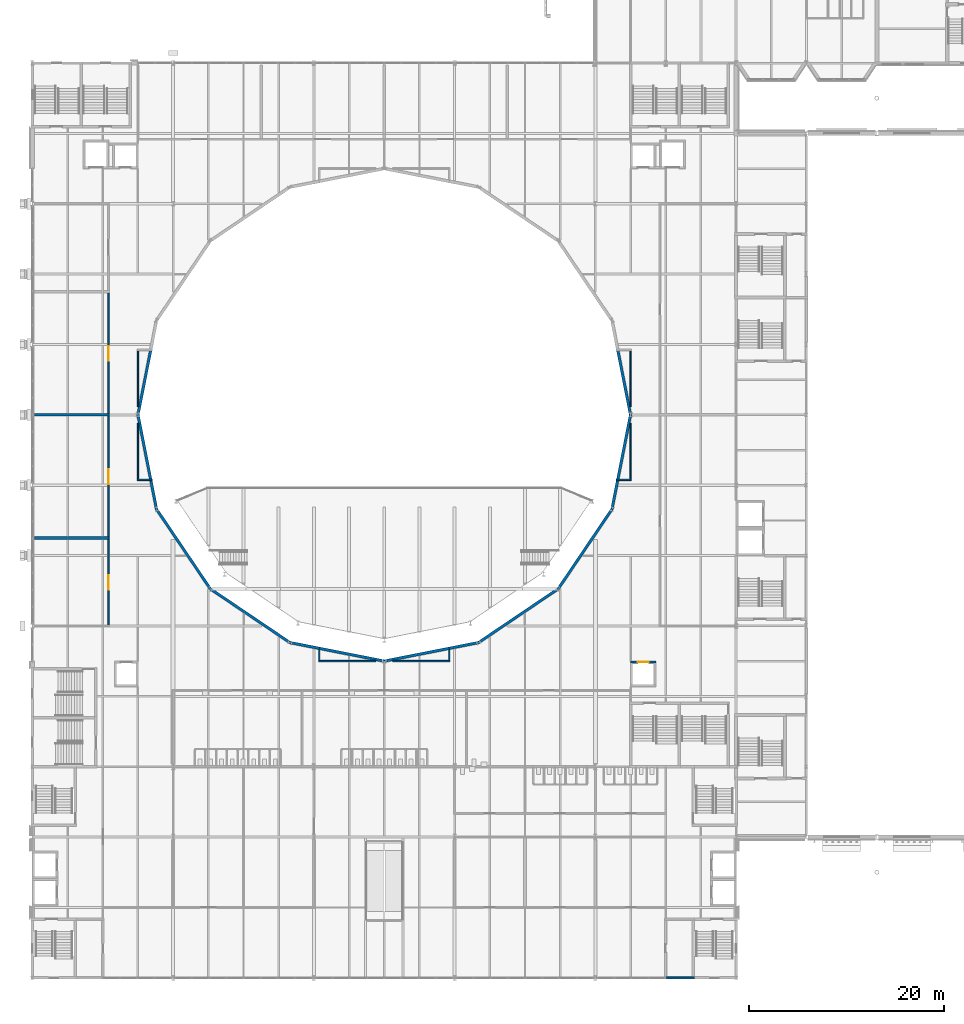
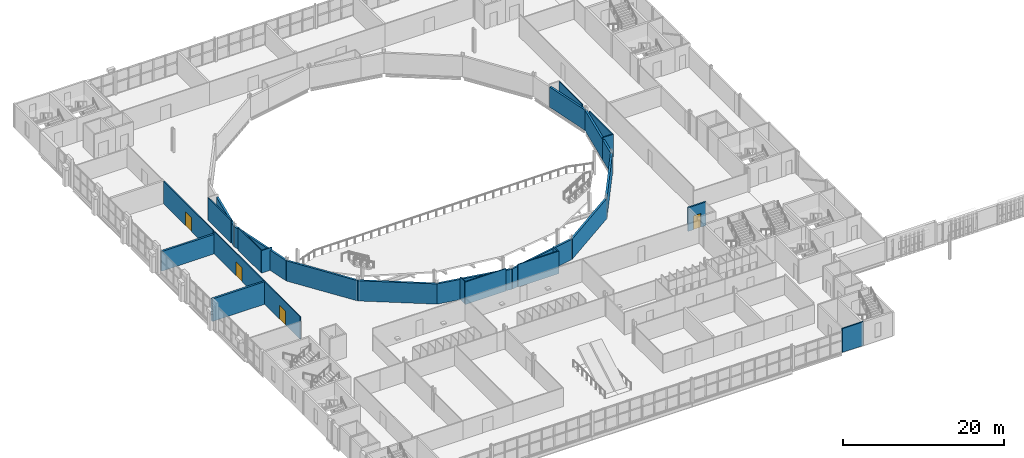
# One storey, part 67 of 124: 31 walls, 4 doors, 4 openings.
"""IFC4 building model written with IfcOpenShell, lengths in metres."""

from ifc_helpers import new_model, si_unit, direction, frame, frame_2d, origin, place, context, subcontext, project, spatial, rectangle, extrude, material, layer, layer_set, type_object, element, fill, save


model = new_model("IFC4")

# Units and contexts
model_context = context("Model", 3, precision=1e-05, world=origin(), true_north=direction((0.0, 1.0)))
body_context = subcontext(model_context, "Body", "Model", "MODEL_VIEW")
ifc_project = project(units=[si_unit("LENGTHUNIT", "METRE"), si_unit("AREAUNIT", "SQUARE_METRE"), si_unit("VOLUMEUNIT", "CUBIC_METRE"), si_unit("PLANEANGLEUNIT", "RADIAN"), si_unit("MASSUNIT", "GRAM", prefix="KILO")], contexts=[model_context])

# Site, building, storey
site_placement = place(None, origin())
site = spatial("IfcSite", under=ifc_project, at=site_placement, CompositionType="ELEMENT")
building_placement = place(site_placement, origin())
building = spatial("IfcBuilding", under=site, at=building_placement, Name="Kupolbacken Congress Centre", CompositionType="ELEMENT")
storey_placement = place(building_placement, frame((0.0, 0.0, 10.800048828125)))
storey = spatial("IfcBuildingStorey", under=building, at=storey_placement, Name="L03", CompositionType="ELEMENT", Elevation=10.800048828125)

# Wall, opening, door
ifc_material_1 = material(Name="Gypsum board", Category="drywall")
ifc_layer_1 = layer(ifc_material_1, 0.135009765625)
ifc_layer_set_1 = layer_set([ifc_layer_1], Name="Gypsum board")
wall_type_1 = type_object("IfcWallType", Name="P06 compartment wall 135", PredefinedType="PARTITIONING", material=ifc_layer_set_1)
wall_1_placement = place(storey_placement, frame((15.0, 73.66259765625, 0.0), z_axis=(0.0, 0.0, 1.0), x_axis=(0.0, -1.0, 0.0)))
wall_1 = element("IfcWall", 1, at=wall_1_placement, inside=storey, type_object=wall_type_1, Name="PD/L03/W050", PredefinedType="PARTITIONING", context=body_context, shape_type="SweptSolid", body=[
    extrude(rectangle(XDim=8.795166015625, YDim=0.135009765625, at=frame_2d((4.3974609375, 0.0))), origin(), (0.0, 0.0, 1.0), 3.419921875),
])
opening_1_placement = place(wall_1_placement, frame((3.64990234375, 0.0, 0.0)))
opening_1 = element("IfcOpeningElement", 2, at=opening_1_placement, cuts=wall_1, Name="Opening 3.P09", PredefinedType="OPENING", context=body_context, shape_type="SweptSolid", body=[
    extrude(rectangle(XDim=1.5, YDim=2.10009765625, at=frame_2d((0.75, 1.050048828125))), frame((0.0, 0.077392578125, 0.0), z_axis=(0.0, -1.0, 0.0), x_axis=(1.0, 0.0, 0.0)), (0.0, 0.0, 1.0), 0.155029296875),
])
ifc_material_2 = material(Name="Steel fire door leaf", Category="steel")
door_type_1 = type_object("IfcDoorType", Name="D12 fire door 1500x2100", OperationType="DOUBLE_DOOR_SINGLE_SWING", PredefinedType="DOOR", material=ifc_material_2)
door_1_placement = place(opening_1_placement, frame((1.5, 0.0, 0.0), z_axis=(0.0, 0.0, 1.0), x_axis=(-1.0, 0.0, 0.0)))
door_1 = element("IfcDoor", 3, at=door_1_placement, inside=storey, type_object=door_type_1, Name="PD/L03/W050/D3P09", OperationType="DOUBLE_DOOR_SINGLE_SWING", OverallHeight=2.10009765625, OverallWidth=1.5, PredefinedType="DOOR", context=body_context, shape_type="SweptSolid", body=[
    extrude(rectangle(XDim=1.5, YDim=2.10009765625, at=frame_2d((0.75, 1.050048828125))), frame((0.0, 0.02490234375, 0.0), z_axis=(0.0, -1.0, 0.0), x_axis=(1.0, 0.0, 0.0)), (0.0, 0.0, 1.0), 0.050048828125),
])
fill(opening_1, door_1)

wall_2_placement = place(storey_placement, frame((15.0, 86.262451171875, 0.0), z_axis=(0.0, 0.0, 1.0), x_axis=(0.0, -1.0, 0.0)))
wall_2 = element("IfcWall", 4, at=wall_2_placement, inside=storey, type_object=wall_type_1, Name="PD/L03/W053", PredefinedType="PARTITIONING", context=body_context, shape_type="SweptSolid", body=[
    extrude(rectangle(XDim=12.324951171875, YDim=0.135009765625, at=frame_2d((6.16259765625, 0.0))), origin(), (0.0, 0.0, 1.0), 3.419921875),
])
opening_2_placement = place(wall_2_placement, frame((5.449951171875, 0.0, 0.0)))
opening_2 = element("IfcOpeningElement", 5, at=opening_2_placement, cuts=wall_2, Name="Opening 3.P10", PredefinedType="OPENING", context=body_context, shape_type="SweptSolid", body=[
    extrude(rectangle(XDim=1.5, YDim=2.10009765625, at=frame_2d((0.75, 1.050048828125))), frame((0.0, 0.077392578125, 0.0), z_axis=(0.0, -1.0, 0.0), x_axis=(1.0, 0.0, 0.0)), (0.0, 0.0, 1.0), 0.155029296875),
])
door_2_placement = place(opening_2_placement, origin())
door_2 = element("IfcDoor", 6, at=door_2_placement, inside=storey, type_object=door_type_1, Name="PD/L03/W053/D3P10", OperationType="DOUBLE_DOOR_SINGLE_SWING", OverallHeight=2.10009765625, OverallWidth=1.5, PredefinedType="DOOR", context=body_context, shape_type="SweptSolid", body=[
    extrude(rectangle(XDim=1.5, YDim=2.10009765625, at=frame_2d((0.75, 1.050048828125))), frame((0.0, 0.02490234375, 0.0), z_axis=(0.0, -1.0, 0.0), x_axis=(1.0, 0.0, 0.0)), (0.0, 0.0, 1.0), 0.050048828125),
])
fill(opening_2, door_2)

wall_3_placement = place(storey_placement, frame((15.0, 98.862548828125, 0.0), z_axis=(0.0, 0.0, 1.0), x_axis=(0.0, -1.0, 0.0)))
wall_3 = element("IfcWall", 7, at=wall_3_placement, inside=storey, type_object=wall_type_1, Name="PD/L03/W055", PredefinedType="PARTITIONING", context=body_context, shape_type="SweptSolid", body=[
    extrude(rectangle(XDim=12.324951171875, YDim=0.135009765625, at=frame_2d((6.16259765625, 0.0))), origin(), (0.0, 0.0, 1.0), 3.419921875),
])
opening_3_placement = place(wall_3_placement, frame((5.449951171875, 0.0, 0.0)))
opening_3 = element("IfcOpeningElement", 8, at=opening_3_placement, cuts=wall_3, Name="Opening 3.P11", PredefinedType="OPENING", context=body_context, shape_type="SweptSolid", body=[
    extrude(rectangle(XDim=1.5, YDim=2.10009765625, at=frame_2d((0.75, 1.050048828125))), frame((0.0, 0.077392578125, 0.0), z_axis=(0.0, -1.0, 0.0), x_axis=(1.0, 0.0, 0.0)), (0.0, 0.0, 1.0), 0.155029296875),
])
door_3_placement = place(opening_3_placement, origin())
door_3 = element("IfcDoor", 9, at=door_3_placement, inside=storey, type_object=door_type_1, Name="PD/L03/W055/D3P11", OperationType="DOUBLE_DOOR_SINGLE_SWING", OverallHeight=2.10009765625, OverallWidth=1.5, PredefinedType="DOOR", context=body_context, shape_type="SweptSolid", body=[
    extrude(rectangle(XDim=1.5, YDim=2.10009765625, at=frame_2d((0.75, 1.050048828125))), frame((0.0, 0.02490234375, 0.0), z_axis=(0.0, -1.0, 0.0), x_axis=(1.0, 0.0, 0.0)), (0.0, 0.0, 1.0), 0.050048828125),
])
fill(opening_3, door_3)

# Walls
wall_4_placement = place(storey_placement, frame((18.0, 85.550048828125, 0.0), z_axis=(0.0, 0.0, 1.0), x_axis=(0.0, -1.0, 0.0)))
element("IfcWall", 10, at=wall_4_placement, inside=storey, type_object=wall_type_1, Name="PD/L03/W065", PredefinedType="PARTITIONING", context=body_context, shape_type="SweptSolid", body=[
    extrude(rectangle(XDim=5.732666015625, YDim=0.135009765625, at=frame_2d((2.8662109375, 0.0))), origin(), (0.0, 0.0, 1.0), 3.419921875),
])
wall_5_placement = place(storey_placement, frame((18.0, 92.982421875, 0.0), z_axis=(0.0, 0.0, 1.0), x_axis=(0.0, -1.0, 0.0)))
element("IfcWall", 11, at=wall_5_placement, inside=storey, type_object=wall_type_1, Name="PD/L03/W066", PredefinedType="PARTITIONING", context=body_context, shape_type="SweptSolid", body=[
    extrude(rectangle(XDim=5.732421875, YDim=0.135009765625, at=frame_2d((2.8662109375, 0.0))), origin(), (0.0, 0.0, 1.0), 3.419921875),
])
wall_6_placement = place(storey_placement, frame((68.39990234375, 79.8173828125, 0.0), z_axis=(0.0, 0.0, 1.0), x_axis=(0.0, 1.0, 0.0)))
element("IfcWall", 12, at=wall_6_placement, inside=storey, type_object=wall_type_1, Name="PD/L03/W080", PredefinedType="PARTITIONING", context=body_context, shape_type="SweptSolid", body=[
    extrude(rectangle(XDim=5.732666015625, YDim=0.135009765625, at=frame_2d((2.8662109375, 0.0))), origin(), (0.0, 0.0, 1.0), 3.419921875),
])
wall_7_placement = place(storey_placement, frame((68.39990234375, 87.25, 0.0), z_axis=(0.0, 0.0, 1.0), x_axis=(0.0, 1.0, 0.0)))
element("IfcWall", 13, at=wall_7_placement, inside=storey, type_object=wall_type_1, Name="PD/L03/W081", PredefinedType="PARTITIONING", context=body_context, shape_type="SweptSolid", body=[
    extrude(rectangle(XDim=5.732421875, YDim=0.135009765625, at=frame_2d((2.8662109375, 0.0))), origin(), (0.0, 0.0, 1.0), 3.419921875),
])
wall_8_placement = place(storey_placement, frame((36.482421875, 61.199951171875, 0.0), z_axis=(0.0, 0.0, 1.0), x_axis=(1.0, 0.0, 0.0)))
element("IfcWall", 14, at=wall_8_placement, inside=storey, type_object=wall_type_1, Name="PD/L03/W082", PredefinedType="PARTITIONING", context=body_context, shape_type="SweptSolid", body=[
    extrude(rectangle(XDim=5.86767578125, YDim=0.135009765625, at=frame_2d((2.933837890625, 0.0))), origin(), (0.0, 0.0, 1.0), 3.419921875),
])
wall_9_placement = place(storey_placement, frame((44.050048828125, 61.199951171875, 0.0), z_axis=(0.0, 0.0, 1.0), x_axis=(1.0, 0.0, 0.0)))
element("IfcWall", 15, at=wall_9_placement, inside=storey, type_object=wall_type_1, Name="PD/L03/W083", PredefinedType="PARTITIONING", context=body_context, shape_type="SweptSolid", body=[
    extrude(rectangle(XDim=5.867431640625, YDim=0.135009765625, at=frame_2d((2.93359375, 0.0))), origin(), (0.0, 0.0, 1.0), 3.419921875),
])
wall_10_placement = place(storey_placement, frame((36.550048828125, 62.371826171875, 0.0), z_axis=(0.0, 0.0, 1.0), x_axis=(0.0, -1.0, 0.0)))
element("IfcWall", 16, at=wall_10_placement, inside=storey, type_object=wall_type_1, Name="PD/L03/W084", PredefinedType="PARTITIONING", context=body_context, shape_type="SweptSolid", body=[
    extrude(rectangle(XDim=1.104248046875, YDim=0.135009765625, at=frame_2d((0.55224609375, 0.0))), origin(), (0.0, 0.0, 1.0), 3.419921875),
])
wall_11_placement = place(storey_placement, frame((17.9326171875, 79.75, 0.0), z_axis=(0.0, 0.0, 1.0), x_axis=(1.0, 0.0, 0.0)))
element("IfcWall", 17, at=wall_11_placement, inside=storey, type_object=wall_type_1, Name="PD/L03/W085", PredefinedType="PARTITIONING", context=body_context, shape_type="SweptSolid", body=[
    extrude(rectangle(XDim=1.51416015625, YDim=0.135009765625, at=frame_2d((0.757080078125, 0.0))), origin(), (0.0, 0.0, 1.0), 3.419921875),
])
wall_12_placement = place(storey_placement, frame((49.85009765625, 61.267578125, 0.0), z_axis=(0.0, 0.0, 1.0), x_axis=(0.0, 1.0, 0.0)))
element("IfcWall", 18, at=wall_12_placement, inside=storey, type_object=wall_type_1, Name="PD/L03/W092", PredefinedType="PARTITIONING", context=body_context, shape_type="SweptSolid", body=[
    extrude(rectangle(XDim=1.104248046875, YDim=0.135009765625, at=frame_2d((0.55224609375, 0.0))), origin(), (0.0, 0.0, 1.0), 3.419921875),
])
wall_13_placement = place(storey_placement, frame((66.953125, 79.75, 0.0), z_axis=(0.0, 0.0, 1.0), x_axis=(1.0, 0.0, 0.0)))
element("IfcWall", 19, at=wall_13_placement, inside=storey, type_object=wall_type_1, Name="PD/L03/W093", PredefinedType="PARTITIONING", context=body_context, shape_type="SweptSolid", body=[
    extrude(rectangle(XDim=1.514404296875, YDim=0.135009765625, at=frame_2d((0.75732421875, 0.0))), origin(), (0.0, 0.0, 1.0), 3.419921875),
])
ifc_material_3 = material(Name="Gypsum board", Category="drywall")
ifc_layer_2 = layer(ifc_material_3, 0.27490234375)
ifc_layer_set_2 = layer_set([ifc_layer_2], Name="Gypsum board")
wall_type_2 = type_object("IfcWallType", Name="P12 partition 275", PredefinedType="PARTITIONING", material=ifc_layer_set_2)
wall_14_placement = place(storey_placement, frame((7.419921875, 73.800048828125, 0.0), z_axis=(0.0, 0.0, 1.0), x_axis=(1.0, 0.0, 0.0)))
element("IfcWall", 20, at=wall_14_placement, inside=storey, type_object=wall_type_2, Name="PD/L03/W049", PredefinedType="PARTITIONING", context=body_context, shape_type="SweptSolid", body=[
    extrude(rectangle(XDim=7.6474609375, YDim=0.27490234375, at=frame_2d((3.82373046875, 0.0))), origin(), (0.0, 0.0, 1.0), 3.419921875),
])
wall_15_placement = place(storey_placement, frame((7.419921875, 86.39990234375, 0.0), z_axis=(0.0, 0.0, 1.0), x_axis=(1.0, 0.0, 0.0)))
element("IfcWall", 21, at=wall_15_placement, inside=storey, type_object=wall_type_2, Name="PD/L03/W052", PredefinedType="PARTITIONING", context=body_context, shape_type="SweptSolid", body=[
    extrude(rectangle(XDim=7.6474609375, YDim=0.27490234375, at=frame_2d((3.82373046875, 0.0))), origin(), (0.0, 0.0, 1.0), 2.969970703125),
])
wall_16_placement = place(storey_placement, frame((33.550048828125, 63.10009765625, 0.0), z_axis=(0.0, 0.0, 1.0), x_axis=(0.981153778086, -0.19322852726, 0.0)))
element("IfcWall", 22, at=wall_16_placement, inside=storey, type_object=wall_type_2, Name="PD/L03/W086", PredefinedType="PARTITIONING", context=body_context, shape_type="SweptSolid", body=[
    extrude(rectangle(XDim=3.0576171875, YDim=0.27490234375, at=frame_2d((1.52880859375, 0.0))), origin(), (0.0, 0.0, 1.0), 3.070068359375),
])
wall_17_placement = place(storey_placement, frame((19.322265625, 79.683837890625, 0.0), z_axis=(0.0, 0.0, 1.0), x_axis=(0.193179069745, -0.98116351696, 0.0)))
element("IfcWall", 23, at=wall_17_placement, inside=storey, type_object=wall_type_2, Name="PD/L03/W087", PredefinedType="PARTITIONING", context=body_context, shape_type="SweptSolid", body=[
    extrude(rectangle(XDim=2.990234375, YDim=0.27490234375, at=frame_2d((1.4951171875, 0.0))), origin(), (0.0, 0.0, 1.0), 3.070068359375),
])
wall_18_placement = place(storey_placement, frame((19.89990234375, 76.75, 0.0), z_axis=(0.0, 0.0, 1.0), x_axis=(0.559390118145, -0.828904515443, 0.0)))
element("IfcWall", 24, at=wall_18_placement, inside=storey, type_object=wall_type_2, Name="PD/L03/W088", PredefinedType="PARTITIONING", context=body_context, shape_type="SweptSolid", body=[
    extrude(rectangle(XDim=9.83203125, YDim=0.27490234375, at=frame_2d((4.916015625, 0.0))), origin(), (0.0, 0.0, 1.0), 3.070068359375),
])
wall_19_placement = place(storey_placement, frame((25.39990234375, 68.60009765625, 0.0), z_axis=(0.0, 0.0, 1.0), x_axis=(0.828912285216, -0.559378604719, 0.0)))
element("IfcWall", 25, at=wall_19_placement, inside=storey, type_object=wall_type_2, Name="PD/L03/W089", PredefinedType="PARTITIONING", context=body_context, shape_type="SweptSolid", body=[
    extrude(rectangle(XDim=9.832275390625, YDim=0.27490234375, at=frame_2d((4.916015625, 0.0))), origin(), (0.0, 0.0, 1.0), 3.070068359375),
])
wall_20_placement = place(storey_placement, frame((36.550048828125, 62.50927734375, 0.0), z_axis=(0.0, 0.0, 1.0), x_axis=(0.981162344826, -0.193185022957, 0.0)))
element("IfcWall", 26, at=wall_20_placement, inside=storey, type_object=wall_type_2, Name="PD/L03/W090", PredefinedType="PARTITIONING", context=body_context, shape_type="SweptSolid", body=[
    extrude(rectangle(XDim=6.777587890625, YDim=0.27490234375, at=frame_2d((3.388671875, 0.0))), origin(), (0.0, 0.0, 1.0), 3.070068359375),
])
wall_21_placement = place(storey_placement, frame((18.0, 86.39990234375, 0.0), z_axis=(0.0, 0.0, 1.0), x_axis=(0.193197572226, -0.981159873867, 0.0)))
element("IfcWall", 27, at=wall_21_placement, inside=storey, type_object=wall_type_2, Name="PD/L03/W091", PredefinedType="PARTITIONING", context=body_context, shape_type="SweptSolid", body=[
    extrude(rectangle(XDim=6.710205078125, YDim=0.27490234375, at=frame_2d((3.35498046875, 0.0))), origin(), (0.0, 0.0, 1.0), 3.070068359375),
])
wall_22_placement = place(storey_placement, frame((66.5, 76.75, 0.0), z_axis=(0.0, 0.0, 1.0), x_axis=(0.193179069745, 0.98116351696, 0.0)))
element("IfcWall", 28, at=wall_22_placement, inside=storey, type_object=wall_type_2, Name="PD/L03/W094", PredefinedType="PARTITIONING", context=body_context, shape_type="SweptSolid", body=[
    extrude(rectangle(XDim=2.990234375, YDim=0.27490234375, at=frame_2d((1.4951171875, 0.0))), origin(), (0.0, 0.0, 1.0), 3.070068359375),
])
wall_23_placement = place(storey_placement, frame((49.85009765625, 62.50927734375, 0.0), z_axis=(0.0, 0.0, 1.0), x_axis=(0.981153778086, 0.19322852726, 0.0)))
element("IfcWall", 29, at=wall_23_placement, inside=storey, type_object=wall_type_2, Name="PD/L03/W095", PredefinedType="PARTITIONING", context=body_context, shape_type="SweptSolid", body=[
    extrude(rectangle(XDim=3.0576171875, YDim=0.27490234375, at=frame_2d((1.52880859375, 0.0))), origin(), (0.0, 0.0, 1.0), 3.070068359375),
])
for number, where, z_axis, x_axis, name in (
    (30, (52.85009765625, 63.10009765625, 0.0), (0.0, 0.0, 1.0), (0.828904515443, 0.559390118145, 0.0), "PD/L03/W096"),
    (31, (61.0, 68.60009765625, 0.0), (0.0, 0.0, 1.0), (0.559390118145, 0.828904515443, 0.0), "PD/L03/W097"),
):
    element("IfcWall", number, at=place(storey_placement, frame(where, z_axis=z_axis, x_axis=x_axis)), inside=storey, type_object=wall_type_2, Name=name, PredefinedType="PARTITIONING", context=body_context, shape_type="SweptSolid", body=[
        extrude(rectangle(XDim=9.83203125, YDim=0.27490234375, at=frame_2d((4.916015625, 0.0))), origin(), (0.0, 0.0, 1.0), 3.070068359375),
    ])
wall_24_placement = place(storey_placement, frame((43.199951171875, 61.199951171875, 0.0), z_axis=(0.0, 0.0, 1.0), x_axis=(0.981163689106, 0.193178195406, 0.0)))
element("IfcWall", 32, at=wall_24_placement, inside=storey, type_object=wall_type_2, Name="PD/L03/W098", PredefinedType="PARTITIONING", context=body_context, shape_type="SweptSolid", body=[
    extrude(rectangle(XDim=6.77783203125, YDim=0.27490234375, at=frame_2d((3.388916015625, 0.0))), origin(), (0.0, 0.0, 1.0), 3.070068359375),
])
wall_25_placement = place(storey_placement, frame((67.103759765625, 79.816162109375, 0.0), z_axis=(0.0, 0.0, 1.0), x_axis=(0.193162546167, 0.981166770105, 0.0)))
element("IfcWall", 33, at=wall_25_placement, inside=storey, type_object=wall_type_2, Name="PD/L03/W099", PredefinedType="PARTITIONING", context=body_context, shape_type="SweptSolid", body=[
    extrude(rectangle(XDim=6.710205078125, YDim=0.27490234375, at=frame_2d((3.35498046875, 0.0))), origin(), (0.0, 0.0, 1.0), 3.070068359375),
])
for number, where, z_axis, x_axis, name in (
    (34, (19.29638671875, 92.98388671875, 0.0), (0.0, 0.0, 1.0), (-0.193190675653, -0.981161231827, 0.0), "PD/L03/W107"),
    (35, (68.39990234375, 86.39990234375, 0.0), (0.0, 0.0, 1.0), (-0.193155650747, 0.981168127583, 0.0), "PD/L03/W114"),
):
    element("IfcWall", number, at=place(storey_placement, frame(where, z_axis=z_axis, x_axis=x_axis)), inside=storey, type_object=wall_type_2, Name=name, PredefinedType="PARTITIONING", context=body_context, shape_type="SweptSolid", body=[
        extrude(rectangle(XDim=6.71044921875, YDim=0.27490234375, at=frame_2d((3.355224609375, 0.0))), origin(), (0.0, 0.0, 1.0), 3.070068359375),
    ])
ifc_material_4 = material(Name="Concrete C40/50", Category="concrete")
ifc_layer_3 = layer(ifc_material_4, 0.199951171875)
ifc_layer_set_3 = layer_set([ifc_layer_3], Name="Concrete C40/50")
wall_type_3 = type_object("IfcWallType", Name="WC1 RC shaft wall 200", PredefinedType="SHEAR", material=ifc_layer_set_3)
wall_26_placement = place(storey_placement, frame((71.89990234375, 28.800048828125, 0.0), z_axis=(0.0, 0.0, 1.0), x_axis=(1.0, 0.0, 0.0)))
element("IfcWall", 36, at=wall_26_placement, inside=storey, type_object=wall_type_3, Name="Shaft wall L03-004", PredefinedType="SHEAR", context=body_context, shape_type="SweptSolid", body=[
    extrude(rectangle(XDim=3.025146484375, YDim=0.199951171875, at=frame_2d((1.5126953125, 0.0))), origin(), (0.0, 0.0, 1.0), 3.599853515625),
])

# Wall, opening, door
wall_27_placement = place(storey_placement, frame((68.39990234375, 61.10009765625, 0.0), z_axis=(0.0, 0.0, 1.0), x_axis=(1.0, 0.0, 0.0)))
wall_27 = element("IfcWall", 37, at=wall_27_placement, inside=storey, type_object=wall_type_3, Name="Shaft wall LP6", PredefinedType="SHEAR", context=body_context, shape_type="SweptSolid", body=[
    extrude(rectangle(XDim=2.60009765625, YDim=0.199951171875, at=frame_2d((1.300048828125, 0.0))), origin(), (0.0, 0.0, 1.0), 3.599853515625),
])
opening_4_placement = place(wall_27_placement, frame((0.75, 0.0, 0.0)))
opening_4 = element("IfcOpeningElement", 38, at=opening_4_placement, cuts=wall_27, Name="Opening LD2", PredefinedType="OPENING", context=body_context, shape_type="SweptSolid", body=[
    extrude(rectangle(XDim=1.10009765625, YDim=2.10009765625, at=frame_2d((0.550048828125, 1.050048828125))), frame((0.0, 0.10986328125, 0.0), z_axis=(0.0, -1.0, 0.0), x_axis=(1.0, 0.0, 0.0)), (0.0, 0.0, 1.0), 0.219970703125),
])
ifc_material_5 = material(Name="Stainless steel door leaf", Category="steel")
door_type_2 = type_object("IfcDoorType", Name="LD2 lift landing door 1100x2100", OperationType="SLIDING_TO_LEFT", PredefinedType="DOOR", material=ifc_material_5)
door_4_placement = place(opening_4_placement, origin())
door_4 = element("IfcDoor", 39, at=door_4_placement, inside=storey, type_object=door_type_2, Name="Lift landing door LP6", OperationType="SLIDING_TO_LEFT", OverallHeight=2.10009765625, OverallWidth=1.10009765625, PredefinedType="DOOR", context=body_context, shape_type="SweptSolid", body=[
    extrude(rectangle(XDim=1.10009765625, YDim=2.10009765625, at=frame_2d((0.550048828125, 1.050048828125))), frame((0.0, 0.02490234375, 0.0), z_axis=(0.0, -1.0, 0.0), x_axis=(1.0, 0.0, 0.0)), (0.0, 0.0, 1.0), 0.050048828125),
])
fill(opening_4, door_4)

save(model, "model.ifc")
